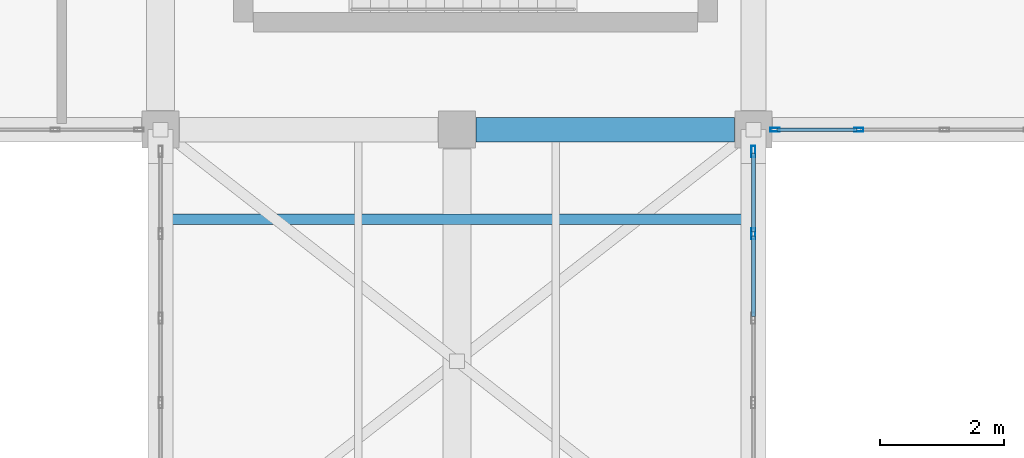
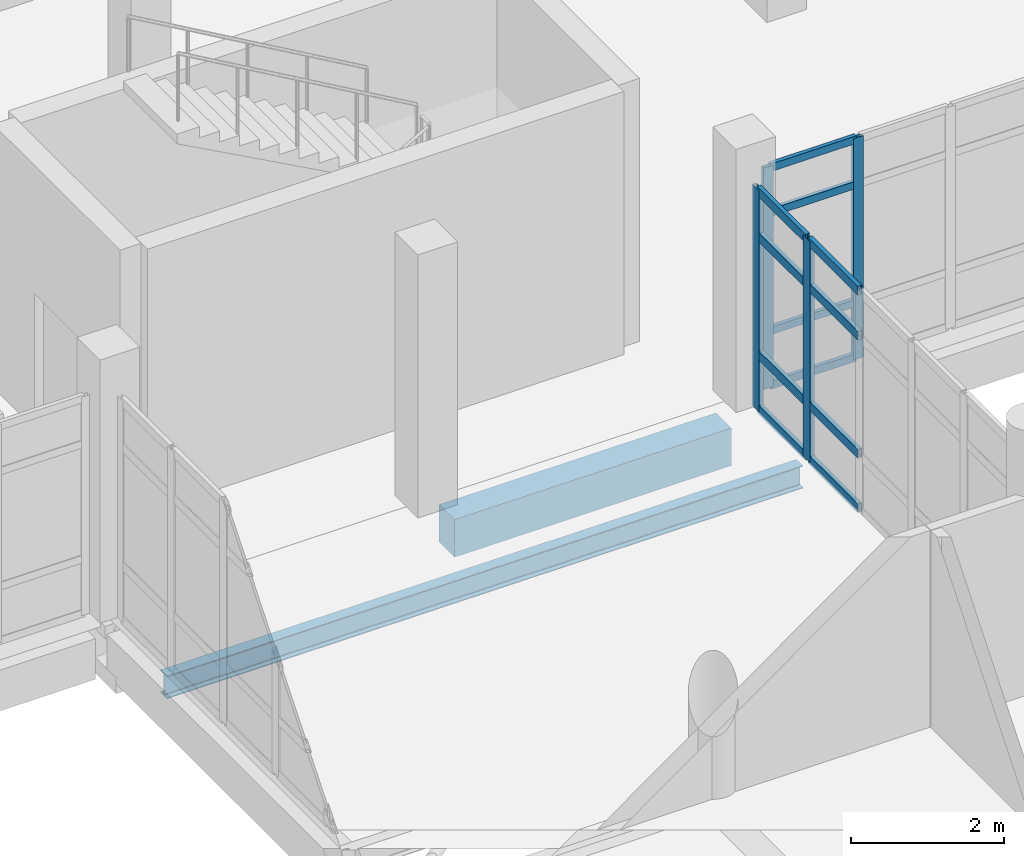
# One storey, part 91 of 164: 16 members, 2 beams, 2 elements without a shape of their own.
"""IFC4 building model written with IfcOpenShell, lengths in metres."""

import ifcopenshell
import ifcopenshell.guid

model = None  # the IFC model being written
_history = None  # IfcOwnerHistory: only IFC2X3 demands one
_inside = {}  # id of a spatial element -> (the spatial element, [elements in it])
_under = {}  # id of a project, library or spatial element -> (it, [spatial elements below it])
_declared = {}  # id of a project -> (the project, [libraries it declares])
_typed = {}  # id of a type object -> (the type object, [elements of that type])
_made_of = {}  # id of a material, layer set ... -> (it, [elements and type objects made of it])


def new_model(schema):
    """Start an empty IFC model of exactly this schema.

    Asked for "IFC4X3", IfcOpenShell would pick the latest addendum, in which some entities
    have other attributes; the version numbers below select the first issue.
    IFC2X3 requires an IfcOwnerHistory on every rooted entity: one is made here for all.
    """
    global model, _history
    if schema == "IFC4X3":
        model = ifcopenshell.file(schema_version=(4, 3, 0, 0))
    else:
        model = ifcopenshell.file(schema=schema)
    _inside.clear()
    _under.clear()
    _declared.clear()
    _typed.clear()
    _made_of.clear()
    _history = None
    if model.schema == "IFC2X3":
        org = make("IfcOrganization", Name="unknown")
        user = make(
            "IfcPersonAndOrganization",
            ThePerson=make("IfcPerson", FamilyName="unknown"),
            TheOrganization=org,
        )
        app = make(
            "IfcApplication",
            ApplicationDeveloper=org,
            Version="unknown",
            ApplicationFullName="unknown",
            ApplicationIdentifier="unknown",
        )
        _history = make(
            "IfcOwnerHistory",
            OwningUser=user,
            OwningApplication=app,
            ChangeAction="ADDED",
            CreationDate=0,
        )
    return model


def make(cls, **values):
    """One entity of the class cls with the attributes given. An attribute that is None is left unset."""
    return model.create_entity(
        cls, **{name: value for name, value in values.items() if value is not None}
    )


def rooted(cls, **values):
    """An entity with a GlobalId (a new one), such as an element, a storey or a relation."""
    return make(cls, GlobalId=ifcopenshell.guid.new(), OwnerHistory=_history, **values)


def si_unit(unit_type, name, prefix=None):
    """IfcSIUnit, for example si_unit("LENGTHUNIT", "METRE", prefix="MILLI")."""
    return make("IfcSIUnit", UnitType=unit_type, Prefix=prefix, Name=name)


def assignment(units):
    """IfcUnitAssignment: the units of a project."""
    return None if units is None else make("IfcUnitAssignment", Units=units)


def point(xyz):
    """IfcCartesianPoint."""
    return None if xyz is None else make("IfcCartesianPoint", Coordinates=xyz)


def direction(xyz):
    """IfcDirection."""
    return None if xyz is None else make("IfcDirection", DirectionRatios=xyz)


def frame(location, z_axis=None, x_axis=None):
    """IfcAxis2Placement3D, a coordinate frame: its origin and axes. An axis left out is left unset."""
    return make(
        "IfcAxis2Placement3D",
        Location=point(location),
        Axis=direction(z_axis),
        RefDirection=direction(x_axis),
    )


def frame_2d(location, x_axis=None):
    """IfcAxis2Placement2D, a coordinate frame in the plane: its origin and x axis."""
    return make(
        "IfcAxis2Placement2D", Location=point(location), RefDirection=direction(x_axis)
    )


def origin():
    """The frame at (0, 0, 0) with its axes left unset."""
    return frame((0.0, 0.0, 0.0))


def origin_2d():
    """The frame at (0, 0) in the plane with its x axis left unset."""
    return frame_2d((0.0, 0.0))


def place(relative_to, where):
    """IfcLocalPlacement: puts the frame where relative to a parent placement (None: the world)."""
    return make(
        "IfcLocalPlacement", PlacementRelTo=relative_to, RelativePlacement=where
    )


def context(
    kind, dimensions, precision=None, world=None, true_north=None, identifier=None
):
    """IfcGeometricRepresentationContext, for example the 3D "Model" context."""
    return make(
        "IfcGeometricRepresentationContext",
        ContextIdentifier=identifier,
        ContextType=kind,
        CoordinateSpaceDimension=dimensions,
        Precision=precision,
        WorldCoordinateSystem=world,
        TrueNorth=true_north,
    )


def subcontext(parent, identifier, kind, view, scale=None):
    """IfcGeometricRepresentationSubContext, for example "Body" below "Model"."""
    return make(
        "IfcGeometricRepresentationSubContext",
        ContextIdentifier=identifier,
        ContextType=kind,
        ParentContext=parent,
        TargetScale=scale,
        TargetView=view,
    )


def project(units=None, contexts=None):
    """IfcProject with its units and contexts."""
    return rooted(
        "IfcProject",
        Name="project",
        RepresentationContexts=contexts,
        UnitsInContext=assignment(units),
    )


def spatial(cls, under=None, at=None, **own):
    """A site, building, storey or space (cls), placed at a placement, below another one or the project."""
    s = rooted(cls, ObjectPlacement=at, **own)
    if under is not None:
        _under.setdefault(under.id(), (under, []))[1].append(s)
    return s


def profile(cls, at=None, kind="AREA", **sizes):
    """A parametric profile (cls). Its sizes go by their IFC names, for example OverallWidth=200.0."""
    return make(cls, ProfileType=kind, Position=at, **sizes)


def rectangle(**sizes):
    """IfcRectangleProfileDef."""
    return profile("IfcRectangleProfileDef", **sizes)


def hollow_rectangle(**sizes):
    """IfcRectangleHollowProfileDef."""
    return profile("IfcRectangleHollowProfileDef", **sizes)


def i_section(**sizes):
    """IfcIShapeProfileDef."""
    return profile("IfcIShapeProfileDef", **sizes)


def extrude(swept, where, along, depth):
    """IfcExtrudedAreaSolid: the profile swept, set in the frame where, extruded along a direction by depth."""
    return make(
        "IfcExtrudedAreaSolid",
        SweptArea=swept,
        Position=where,
        ExtrudedDirection=direction(along),
        Depth=depth,
    )


def shape(context_of_items, identifier, shape_type, items):
    """IfcShapeRepresentation: the items that make up one representation, for example the "Body"."""
    return make(
        "IfcShapeRepresentation",
        ContextOfItems=context_of_items,
        RepresentationIdentifier=identifier,
        RepresentationType=shape_type,
        Items=items,
    )


def material(Name=None, Category=None):
    """IfcMaterial."""
    return make("IfcMaterial", Name=Name, Category=Category)


def layer(
    of_material, thickness, ventilated=None, Name=None, Category=None, Priority=None
):
    """IfcMaterialLayer: one layer of a wall or slab, of a material (None: an air gap)."""
    return make(
        "IfcMaterialLayer",
        Material=of_material,
        LayerThickness=thickness,
        IsVentilated=ventilated,
        Name=Name,
        Category=Category,
        Priority=Priority,
    )


def layer_set(layers, Name=None):
    """IfcMaterialLayerSet."""
    return make("IfcMaterialLayerSet", MaterialLayers=layers, LayerSetName=Name)


def material_profile(
    of_material, cross_section, Name=None, Category=None, Priority=None
):
    """IfcMaterialProfile: a cross section and its material."""
    return make(
        "IfcMaterialProfile",
        Name=Name,
        Material=of_material,
        Profile=cross_section,
        Priority=Priority,
        Category=Category,
    )


def profile_set(profiles, Name=None, composite=None):
    """IfcMaterialProfileSet."""
    return make(
        "IfcMaterialProfileSet",
        Name=Name,
        MaterialProfiles=profiles,
        CompositeProfile=composite,
    )


def made_of(thing, what):
    """Note that an element or type object is made of a material, layer set ...; save() writes the relation."""
    if what is not None:
        _made_of.setdefault(what.id(), (what, []))[1].append(thing)
    return thing


def type_object(cls, material=None, **own):
    """A type object (cls), such as IfcWallType, which elements share."""
    return made_of(rooted(cls, **own), material)


def element(
    cls,
    number,
    at=None,
    inside=None,
    cuts=None,
    type_object=None,
    material=None,
    context=None,
    identifier="Body",
    shape_type=None,
    held_by="IfcProductDefinitionShape",
    body=None,
    shapes=None,
    **own,
):
    """One element of the class cls, such as IfcWall. Its Tag is "e" and its number.

    at: its placement. inside: the storey or other place that contains it. cuts: it is an
    opening in that element (IfcRelVoidsElement). A single representation is given by context,
    identifier, shape_type and body (its items); several are given by shapes. held_by: the class
    of the entity that holds the representations. save() writes the other relations.
    """
    e = rooted(cls, Tag="e%d" % number, ObjectPlacement=at, **own)
    if body is not None:
        shapes = [shape(context, identifier, shape_type, body)]
    if shapes is not None:
        e.Representation = make(held_by, Representations=shapes)
    if inside is not None:
        _inside.setdefault(inside.id(), (inside, []))[1].append(e)
    if cuts is not None:
        rooted(
            "IfcRelVoidsElement", RelatingBuildingElement=cuts, RelatedOpeningElement=e
        )
    if type_object is not None:
        _typed.setdefault(type_object.id(), (type_object, []))[1].append(e)
    return made_of(e, material)


def aggregate(whole, parts):
    """IfcRelAggregates: a whole, such as a stair, and the parts it consists of."""
    return rooted("IfcRelAggregates", RelatingObject=whole, RelatedObjects=parts)


def save(model, path):
    """Write the relations noted so far, then the file.

    IfcRelAggregates (storeys below a building ...), IfcRelContainedInSpatialStructure (elements
    in a storey), IfcRelDefinesByType, IfcRelAssociatesMaterial and IfcRelDeclares: one each for
    every whole, place, type object, material and project.
    """
    for whole, parts in _under.values():
        aggregate(whole, parts)
    for where, things in _inside.values():
        rooted(
            "IfcRelContainedInSpatialStructure",
            RelatedElements=things,
            RelatingStructure=where,
        )
    for kind, things in _typed.values():
        rooted("IfcRelDefinesByType", RelatedObjects=things, RelatingType=kind)
    for what, things in _made_of.values():
        rooted("IfcRelAssociatesMaterial", RelatedObjects=things, RelatingMaterial=what)
    for by, libraries in _declared.values():
        rooted("IfcRelDeclares", RelatingContext=by, RelatedDefinitions=libraries)
    model.write(path)


model = new_model("IFC4")

# Units and contexts
model_context = context("Model", 3, precision=1e-05, world=origin(), true_north=direction((0.0, 1.0)))
body_context = subcontext(model_context, "Body", "Model", "MODEL_VIEW")
ifc_project = project(units=[si_unit("LENGTHUNIT", "METRE"), si_unit("AREAUNIT", "SQUARE_METRE"), si_unit("VOLUMEUNIT", "CUBIC_METRE"), si_unit("PLANEANGLEUNIT", "RADIAN"), si_unit("MASSUNIT", "GRAM", prefix="KILO")], contexts=[model_context])

# Site, building, storey
site_placement = place(None, origin())
site = spatial("IfcSite", under=ifc_project, at=site_placement, CompositionType="ELEMENT")
building_placement = place(site_placement, origin())
building = spatial("IfcBuilding", under=site, at=building_placement, Name="Mawjan Specialist Oncology Clinic", CompositionType="ELEMENT")
storey_placement = place(building_placement, frame((0.0, 0.0, 5.0)))
storey = spatial("IfcBuildingStorey", under=building, at=storey_placement, Name="L01", CompositionType="ELEMENT", Elevation=5.0)

# Beam
ifc_material_1 = material(Name="Concrete C40/50", Category="concrete")
ifc_material_profile_1 = material_profile(ifc_material_1, rectangle(XDim=0.39990234375, YDim=0.60009765625, at=origin_2d()), Name="RC BM 400x600", Category="concrete")
ifc_profile_set_1 = profile_set([ifc_material_profile_1], Name="Concrete C40/50")
beam_type_1 = type_object("IfcBeamType", Name="BM-400x600", PredefinedType="BEAM", material=ifc_profile_set_1)
beam_1_placement = place(storey_placement, frame((89.110107421875, 83.300048828125, -0.60009765625), z_axis=(1.0, 0.0, 0.0), x_axis=(0.0, 1.0, 0.0)))
element("IfcBeam", 1, at=beam_1_placement, inside=storey, type_object=beam_type_1, Name="L01 Collector Beam BM-L01-0349", PredefinedType="BEAM", context=body_context, shape_type="SweptSolid", body=[
    extrude(rectangle(XDim=0.39990234375, YDim=0.60009765625, at=origin_2d()), origin(), (0.0, 0.0, 1.0), 4.179931640625),
])

# Curtain wall, members
ifc_material_2 = material(Name="Unitised spectrally selective aluminium curtain wall", Category="aluminium")
ifc_layer_1 = layer(ifc_material_2, 0.179931640625, Name="Unitised spectrally selective aluminium curtain wall", Category="aluminium")
ifc_layer_set_1 = layer_set([ifc_layer_1], Name="Unitised spectrally selective aluminium curtain wall")
curtain_wall_type_1 = type_object("IfcCurtainWallType", Name="CW-59", PredefinedType="NOTDEFINED", material=ifc_layer_set_1)
curtain_wall_1_placement = place(storey_placement, origin())
curtain_wall_1 = element("IfcCurtainWall", 2, at=curtain_wall_1_placement, inside=storey, type_object=curtain_wall_type_1, Name="L01 Unitised Curtain Wall CW-L01-127", PredefinedType="NOTDEFINED")
ifc_material_3 = material(Name="Thermally broken aluminium 6063-T6", Category="aluminium")
ifc_material_profile_2 = material_profile(ifc_material_3, hollow_rectangle(XDim=0.06005859375, YDim=0.14990234375, WallThickness=0.00390625, at=origin_2d()), Name="ALU MULLION 150x60x4", Category="aluminium")
ifc_profile_set_2 = profile_set([ifc_material_profile_2], Name="Thermally broken aluminium 6063-T6")
member_type_1 = type_object("IfcMemberType", Name="CW-M150", PredefinedType="MULLION", material=ifc_profile_set_2)
member_1_placement = place(storey_placement, frame((95.306640625, 83.300048828125, 0.0), z_axis=(0.0, 0.0, 1.0), x_axis=(0.0, -1.0, 0.0)))
member_1 = element("IfcMember", 3, at=member_1_placement, type_object=member_type_1, Name="CW-59 mullion 3", PredefinedType="MULLION", context=body_context, shape_type="SweptSolid", body=[
    extrude(hollow_rectangle(XDim=0.06005859375, YDim=0.14990234375, WallThickness=0.00390625, at=origin_2d()), origin(), (0.0, 0.0, 1.0), 3.534912109375),
])
member_2_placement = place(storey_placement, frame((93.949951171875, 83.300048828125, 0.0), z_axis=(0.0, 0.0, 1.0), x_axis=(0.0, -1.0, 0.0)))
member_2 = element("IfcMember", 4, at=member_2_placement, type_object=member_type_1, Name="CW-59 mullion 4", PredefinedType="MULLION", context=body_context, shape_type="SweptSolid", body=[
    extrude(hollow_rectangle(XDim=0.06005859375, YDim=0.14990234375, WallThickness=0.00390625, at=origin_2d()), origin(), (0.0, 0.0, 1.0), 3.534912109375),
])

ifc_material_4 = material(Name="Unitised spectrally selective aluminium curtain wall", Category="aluminium")
ifc_layer_2 = layer(ifc_material_4, 0.179931640625, Name="Unitised spectrally selective aluminium curtain wall", Category="aluminium")
ifc_layer_set_2 = layer_set([ifc_layer_2], Name="Unitised spectrally selective aluminium curtain wall")
curtain_wall_type_2 = type_object("IfcCurtainWallType", Name="CW-57", PredefinedType="NOTDEFINED", material=ifc_layer_set_2)
curtain_wall_2_placement = place(storey_placement, origin())
curtain_wall_2 = element("IfcCurtainWall", 5, at=curtain_wall_2_placement, inside=storey, type_object=curtain_wall_type_2, Name="L01 Unitised Curtain Wall CW-L01-128", PredefinedType="NOTDEFINED")
ifc_material_5 = material(Name="Thermally broken aluminium 6063-T6", Category="aluminium")
ifc_material_profile_3 = material_profile(ifc_material_5, hollow_rectangle(XDim=0.06494140625, YDim=0.179931640625, WallThickness=0.00390625, at=origin_2d()), Name="ALU MULLION 180x65x4", Category="aluminium")
ifc_profile_set_3 = profile_set([ifc_material_profile_3], Name="Thermally broken aluminium 6063-T6")
member_type_2 = type_object("IfcMemberType", Name="CW-M180", PredefinedType="MULLION", material=ifc_profile_set_3)
member_3_placement = place(storey_placement, frame((93.60009765625, 82.947509765625, 0.0), z_axis=(0.0, 0.0, 1.0), x_axis=(1.0, 0.0, 0.0)))
member_3 = element("IfcMember", 6, at=member_3_placement, type_object=member_type_2, Name="CW-57 mullion 1", PredefinedType="MULLION", context=body_context, shape_type="SweptSolid", body=[
    extrude(hollow_rectangle(XDim=0.06494140625, YDim=0.179931640625, WallThickness=0.00390625, at=origin_2d()), origin(), (0.0, 0.0, 1.0), 3.534912109375),
])
member_4_placement = place(storey_placement, frame((93.60009765625, 81.613037109375, 0.0), z_axis=(0.0, 0.0, 1.0), x_axis=(1.0, 0.0, 0.0)))
member_4 = element("IfcMember", 7, at=member_4_placement, type_object=member_type_2, Name="CW-57 mullion 2", PredefinedType="MULLION", context=body_context, shape_type="SweptSolid", body=[
    extrude(hollow_rectangle(XDim=0.06494140625, YDim=0.179931640625, WallThickness=0.00390625, at=origin_2d()), origin(), (0.0, 0.0, 1.0), 3.534912109375),
])

# Member
ifc_material_6 = material(Name="Thermally broken aluminium 6063-T6", Category="aluminium")
ifc_material_profile_4 = material_profile(ifc_material_6, hollow_rectangle(XDim=0.06005859375, YDim=0.1201171875, WallThickness=0.00390625, at=origin_2d()), Name="ALU TRANSOM 120x60x4", Category="aluminium")
ifc_profile_set_4 = profile_set([ifc_material_profile_4], Name="Thermally broken aluminium 6063-T6")
member_type_3 = type_object("IfcMemberType", Name="CW-T120", PredefinedType="USERDEFINED", material=ifc_profile_set_4)
member_5_placement = place(storey_placement, frame((95.276611328125, 83.300048828125, 0.030029296875), z_axis=(-1.0, 0.0, 0.0), x_axis=(0.0, -1.0, 0.0)))
member_5 = element("IfcMember", 8, at=member_5_placement, type_object=member_type_3, Name="CW-59 transom 3.1", ObjectType="TRANSOM", PredefinedType="USERDEFINED", context=body_context, shape_type="SweptSolid", body=[
    extrude(hollow_rectangle(XDim=0.06005859375, YDim=0.1201171875, WallThickness=0.00390625, at=origin_2d()), origin(), (0.0, 0.0, 1.0), 1.296630859375),
])

member_6_placement = place(storey_placement, frame((95.276611328125, 83.300048828125, 0.89990234375), z_axis=(-1.0, 0.0, 0.0), x_axis=(0.0, -1.0, 0.0)))
member_6 = element("IfcMember", 9, at=member_6_placement, type_object=member_type_3, Name="CW-59 transom 3.2", ObjectType="TRANSOM", PredefinedType="USERDEFINED", context=body_context, shape_type="SweptSolid", body=[
    extrude(hollow_rectangle(XDim=0.06005859375, YDim=0.1201171875, WallThickness=0.00390625, at=origin_2d()), origin(), (0.0, 0.0, 1.0), 1.296630859375),
])

member_7_placement = place(storey_placement, frame((95.276611328125, 83.300048828125, 2.784912109375), z_axis=(-1.0, 0.0, 0.0), x_axis=(0.0, -1.0, 0.0)))
member_7 = element("IfcMember", 10, at=member_7_placement, type_object=member_type_3, Name="CW-59 transom 3.3", ObjectType="TRANSOM", PredefinedType="USERDEFINED", context=body_context, shape_type="SweptSolid", body=[
    extrude(hollow_rectangle(XDim=0.06005859375, YDim=0.1201171875, WallThickness=0.00390625, at=origin_2d()), origin(), (0.0, 0.0, 1.0), 1.296630859375),
])

member_8_placement = place(storey_placement, frame((95.276611328125, 83.300048828125, 3.5048828125), z_axis=(-1.0, 0.0, 0.0), x_axis=(0.0, -1.0, 0.0)))
member_8 = element("IfcMember", 11, at=member_8_placement, type_object=member_type_3, Name="CW-59 transom 3.4", ObjectType="TRANSOM", PredefinedType="USERDEFINED", context=body_context, shape_type="SweptSolid", body=[
    extrude(hollow_rectangle(XDim=0.06005859375, YDim=0.1201171875, WallThickness=0.00390625, at=origin_2d()), origin(), (0.0, 0.0, 1.0), 1.296630859375),
])

aggregate(curtain_wall_1, [member_1, member_2, member_5, member_6, member_7, member_8])

ifc_material_7 = material(Name="Thermally broken aluminium 6063-T6", Category="aluminium")
ifc_material_profile_5 = material_profile(ifc_material_7, hollow_rectangle(XDim=0.06494140625, YDim=0.139892578125, WallThickness=0.00390625, at=origin_2d()), Name="ALU TRANSOM 140x65x4", Category="aluminium")
ifc_profile_set_5 = profile_set([ifc_material_profile_5], Name="Thermally broken aluminium 6063-T6")
member_type_4 = type_object("IfcMemberType", Name="CW-T140", PredefinedType="USERDEFINED", material=ifc_profile_set_5)
member_9_placement = place(storey_placement, frame((93.60009765625, 82.9150390625, 0.032470703125), z_axis=(0.0, -1.0, 0.0), x_axis=(1.0, 0.0, 0.0)))
member_9 = element("IfcMember", 12, at=member_9_placement, type_object=member_type_4, Name="CW-57 transom 1.1", ObjectType="TRANSOM", PredefinedType="USERDEFINED", context=body_context, shape_type="SweptSolid", body=[
    extrude(hollow_rectangle(XDim=0.06494140625, YDim=0.139892578125, WallThickness=0.00390625, at=origin_2d()), origin(), (0.0, 0.0, 1.0), 1.26953125),
])

member_10_placement = place(storey_placement, frame((93.60009765625, 82.9150390625, 0.89990234375), z_axis=(0.0, -1.0, 0.0), x_axis=(1.0, 0.0, 0.0)))
member_10 = element("IfcMember", 13, at=member_10_placement, type_object=member_type_4, Name="CW-57 transom 1.2", ObjectType="TRANSOM", PredefinedType="USERDEFINED", context=body_context, shape_type="SweptSolid", body=[
    extrude(hollow_rectangle(XDim=0.06494140625, YDim=0.139892578125, WallThickness=0.00390625, at=origin_2d()), origin(), (0.0, 0.0, 1.0), 1.26953125),
])

member_11_placement = place(storey_placement, frame((93.60009765625, 82.9150390625, 2.784912109375), z_axis=(0.0, -1.0, 0.0), x_axis=(1.0, 0.0, 0.0)))
member_11 = element("IfcMember", 14, at=member_11_placement, type_object=member_type_4, Name="CW-57 transom 1.3", ObjectType="TRANSOM", PredefinedType="USERDEFINED", context=body_context, shape_type="SweptSolid", body=[
    extrude(hollow_rectangle(XDim=0.06494140625, YDim=0.139892578125, WallThickness=0.00390625, at=origin_2d()), origin(), (0.0, 0.0, 1.0), 1.26953125),
])

member_12_placement = place(storey_placement, frame((93.60009765625, 82.9150390625, 3.50244140625), z_axis=(0.0, -1.0, 0.0), x_axis=(1.0, 0.0, 0.0)))
member_12 = element("IfcMember", 15, at=member_12_placement, type_object=member_type_4, Name="CW-57 transom 1.4", ObjectType="TRANSOM", PredefinedType="USERDEFINED", context=body_context, shape_type="SweptSolid", body=[
    extrude(hollow_rectangle(XDim=0.06494140625, YDim=0.139892578125, WallThickness=0.00390625, at=origin_2d()), origin(), (0.0, 0.0, 1.0), 1.26953125),
])

member_13_placement = place(storey_placement, frame((93.60009765625, 81.58056640625, 0.032470703125), z_axis=(0.0, -1.0, 0.0), x_axis=(1.0, 0.0, 0.0)))
member_13 = element("IfcMember", 16, at=member_13_placement, type_object=member_type_4, Name="CW-57 transom 2.1", ObjectType="TRANSOM", PredefinedType="USERDEFINED", context=body_context, shape_type="SweptSolid", body=[
    extrude(hollow_rectangle(XDim=0.06494140625, YDim=0.139892578125, WallThickness=0.00390625, at=origin_2d()), origin(), (0.0, 0.0, 1.0), 1.302001953125),
])

member_14_placement = place(storey_placement, frame((93.60009765625, 81.58056640625, 0.89990234375), z_axis=(0.0, -1.0, 0.0), x_axis=(1.0, 0.0, 0.0)))
member_14 = element("IfcMember", 17, at=member_14_placement, type_object=member_type_4, Name="CW-57 transom 2.2", ObjectType="TRANSOM", PredefinedType="USERDEFINED", context=body_context, shape_type="SweptSolid", body=[
    extrude(hollow_rectangle(XDim=0.06494140625, YDim=0.139892578125, WallThickness=0.00390625, at=origin_2d()), origin(), (0.0, 0.0, 1.0), 1.302001953125),
])

member_15_placement = place(storey_placement, frame((93.60009765625, 81.58056640625, 2.784912109375), z_axis=(0.0, -1.0, 0.0), x_axis=(1.0, 0.0, 0.0)))
member_15 = element("IfcMember", 18, at=member_15_placement, type_object=member_type_4, Name="CW-57 transom 2.3", ObjectType="TRANSOM", PredefinedType="USERDEFINED", context=body_context, shape_type="SweptSolid", body=[
    extrude(hollow_rectangle(XDim=0.06494140625, YDim=0.139892578125, WallThickness=0.00390625, at=origin_2d()), origin(), (0.0, 0.0, 1.0), 1.302001953125),
])

member_16_placement = place(storey_placement, frame((93.60009765625, 81.58056640625, 3.50244140625), z_axis=(0.0, -1.0, 0.0), x_axis=(1.0, 0.0, 0.0)))
member_16 = element("IfcMember", 19, at=member_16_placement, type_object=member_type_4, Name="CW-57 transom 2.4", ObjectType="TRANSOM", PredefinedType="USERDEFINED", context=body_context, shape_type="SweptSolid", body=[
    extrude(hollow_rectangle(XDim=0.06494140625, YDim=0.139892578125, WallThickness=0.00390625, at=origin_2d()), origin(), (0.0, 0.0, 1.0), 1.302001953125),
])

aggregate(curtain_wall_2, [member_3, member_4, member_9, member_10, member_11, member_12, member_13, member_14, member_15, member_16])

# Beam
ifc_material_8 = material(Name="Structural steel S355", Category="steel")
ifc_material_profile_6 = material_profile(ifc_material_8, i_section(OverallWidth=0.169921875, OverallDepth=0.360107421875, WebThickness=0.008056640625, FlangeThickness=0.0126953125, FilletRadius=0.01806640625, at=origin_2d()), Name="IPE 360", Category="steel")
ifc_profile_set_6 = profile_set([ifc_material_profile_6], Name="Structural steel S355")
beam_type_2 = type_object("IfcBeamType", Name="SB-IPE360", PredefinedType="BEAM", material=ifc_profile_set_6)
beam_2_placement = place(storey_placement, frame((84.0, 81.85009765625, -0.3798828125), z_axis=(1.0, 0.0, 0.0), x_axis=(0.0, 1.0, 0.0)))
element("IfcBeam", 20, at=beam_2_placement, inside=storey, type_object=beam_type_2, Name="Skybridge L01 Transverse Girder N", PredefinedType="BEAM", context=body_context, shape_type="SweptSolid", body=[
    extrude(i_section(OverallWidth=0.169921875, OverallDepth=0.360107421875, WebThickness=0.008056640625, FlangeThickness=0.0126953125, FilletRadius=0.01806640625, at=origin_2d()), origin(), (0.0, 0.0, 1.0), 9.60009765625),
])

save(model, "model.ifc")
